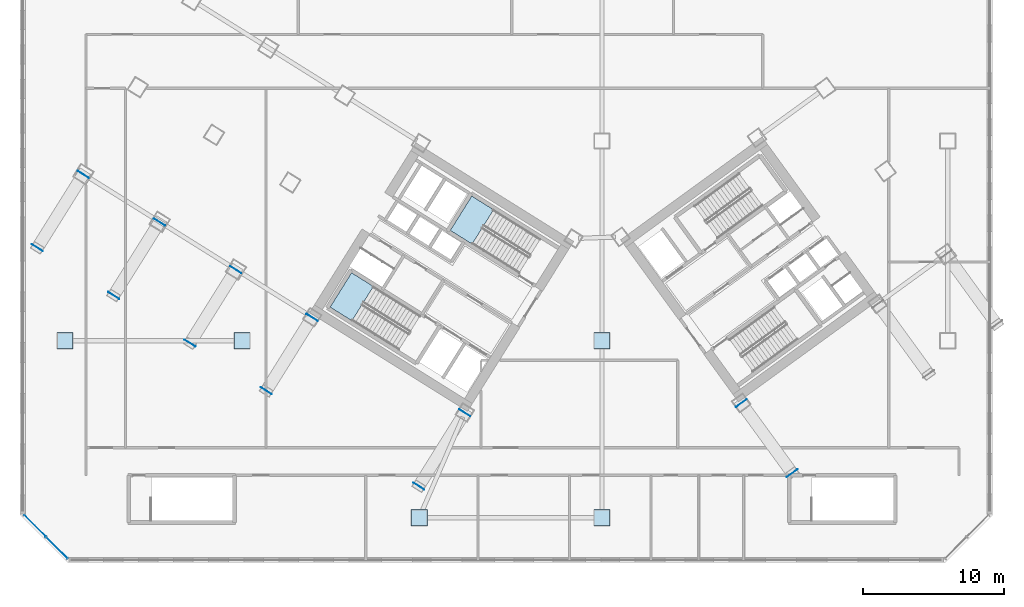
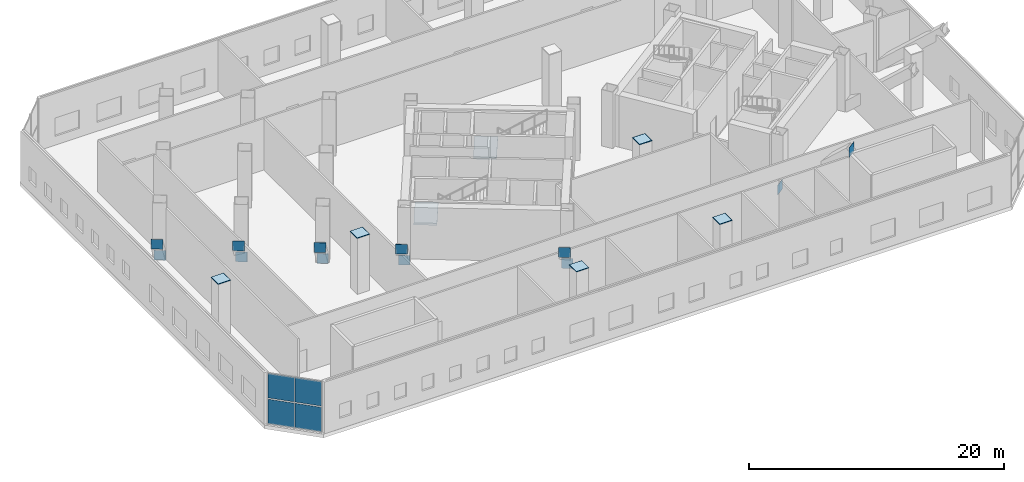
# One storey, part 9 of 23: 26 plates, 2 slabs, 3 elements without a shape of their own.
"""IFC4 building model written with IfcOpenShell, lengths in metres."""

from ifc_helpers import new_model, si_unit, direction, frame, origin, origin_2d, place, context, subcontext, project, spatial, polyline, rectangle, outline, extrude, source, transform, mapped, material, layer, layer_set, type_object, element, aggregate, save


model = new_model("IFC4")

# Units and contexts
model_context = context("Model", 3, precision=1e-05, world=origin(), true_north=direction((0.0, 1.0)))
body_context = subcontext(model_context, "Body", "Model", "MODEL_VIEW")
ifc_project = project(units=[si_unit("LENGTHUNIT", "METRE"), si_unit("AREAUNIT", "SQUARE_METRE"), si_unit("VOLUMEUNIT", "CUBIC_METRE"), si_unit("PLANEANGLEUNIT", "RADIAN"), si_unit("MASSUNIT", "GRAM", prefix="KILO")], contexts=[model_context])

# Site, building, storey
site_placement = place(None, origin())
site = spatial("IfcSite", under=ifc_project, at=site_placement, CompositionType="ELEMENT")
building_placement = place(site_placement, origin())
building = spatial("IfcBuilding", under=site, at=building_placement, Name="Tlacorven Tower", CompositionType="ELEMENT")
storey_placement = place(building_placement, frame((0.0, 0.0, 18.60009765625)))
storey = spatial("IfcBuildingStorey", under=building, at=storey_placement, Name="L04", CompositionType="ELEMENT", Elevation=18.60009765625)

# Stair, slab
ifc_material_1 = material(Name="Concrete C40/50", Category="concrete")
stair_type = type_object("IfcStairType", Name="ST-CORE-DLG", PredefinedType="HALF_TURN_STAIR", material=ifc_material_1)
stair_1_placement = place(storey_placement, origin())
stair_1 = element("IfcStair", 1, at=stair_1_placement, inside=storey, type_object=stair_type, Name="L04 Protected Exit Stair West 1", PredefinedType="HALF_TURN_STAIR")
ifc_layer_1 = layer(ifc_material_1, 0.199951171875)
ifc_layer_set_1 = layer_set([ifc_layer_1], Name="Concrete C40/50")
slab_type = type_object("IfcSlabType", Name="SL-LND-200", PredefinedType="LANDING", material=ifc_layer_set_1)
slab_1_placement = place(storey_placement, frame((0.0, 0.0, 2.5)))
slab_1 = element("IfcSlab", 2, at=slab_1_placement, type_object=slab_type, Name="ST-W1 landing 1", PredefinedType="LANDING", context=body_context, shape_type="SweptSolid", body=[
    extrude(outline(polyline([(26.541259765625, 21.05712890625), (24.9892578125, 22.02685546875), (23.463134765625, 19.58447265625), (25.014892578125, 18.61474609375), (26.541259765625, 21.05712890625)])), origin(), (0.0, 0.0, 1.0), 0.199951171875),
])
aggregate(stair_1, [slab_1])

stair_2_placement = place(storey_placement, origin())
stair_2 = element("IfcStair", 3, at=stair_2_placement, inside=storey, type_object=stair_type, Name="L04 Protected Exit Stair West 2", PredefinedType="HALF_TURN_STAIR")
slab_2_placement = place(storey_placement, frame((0.0, 0.0, 2.5)))
slab_2 = element("IfcSlab", 4, at=slab_2_placement, type_object=slab_type, Name="ST-W2 landing 1", PredefinedType="LANDING", context=body_context, shape_type="SweptSolid", body=[
    extrude(outline(polyline([(35.0927734375, 26.5146484375), (33.540771484375, 27.484375), (32.0146484375, 25.0419921875), (33.56640625, 24.072265625), (35.0927734375, 26.5146484375)])), origin(), (0.0, 0.0, 1.0), 0.199951171875),
])
aggregate(stair_2, [slab_2])

# Plates
ifc_material_2 = material(Name="Steel S460M", Category="steel")
ifc_layer_2 = layer(ifc_material_2, 0.02001953125)
ifc_layer_set_2 = layer_set([ifc_layer_2], Name="Steel S460M")
plate_type_1 = type_object("IfcPlateType", Name="PL-CAP-END2", PredefinedType="USERDEFINED", material=ifc_layer_set_2)
shared_shape_1 = source(origin(), body_context, "Body", "SweptSolid", [
    extrude(rectangle(XDim=0.02001953125, YDim=0.929931640625, at=origin_2d()), origin(), (0.0, 0.0, 1.0), 0.929931640625),
])
for number, where, z_axis, x_axis, name in (
    (5, (33.0341796875, 12.067626953125, -0.4453125), (0.0, 0.0, 1.0), (-0.529919298883, -0.848048074505, 0.0), "L04 hollow end cap plate RAK-L04-W1 1"),
    (6, (29.772705078125, 6.84814453125, 4.9150390625), (0.0, 0.0, 1.0), (-0.529919298883, -0.848048074505, 0.0), "L04 hollow end cap plate RAK-L04-W1 2"),
    (7, (22.17919921875, 18.8505859375, -0.4453125), (0.0, 0.0, 1.0), (-0.529919255042, -0.8480481019, 0.0), "L04 hollow end cap plate RAK-L04-W3 1"),
    (8, (18.917724609375, 13.631103515625, 4.9150390625), (0.0, 0.0, 1.0), (-0.529919255042, -0.8480481019, 0.0), "L04 hollow end cap plate RAK-L04-W3 2"),
    (9, (16.751708984375, 22.2421875, -0.4453125), (0.0, 0.0, 1.0), (-0.529919255042, -0.8480481019, 0.0), "L04 hollow end cap plate RAK-L04-W4 1"),
    (10, (13.489990234375, 17.022705078125, 4.9150390625), (0.0, 0.0, 1.0), (-0.529919255042, -0.8480481019, 0.0), "L04 hollow end cap plate RAK-L04-W4 2"),
    (11, (11.32421875, 25.633544921875, -0.4453125), (0.0, 0.0, 1.0), (-0.529919255042, -0.8480481019, 0.0), "L04 hollow end cap plate RAK-L04-W5 1"),
    (12, (8.0625, 20.4140625, 4.9150390625), (0.0, 0.0, 1.0), (-0.529919255042, -0.8480481019, 0.0), "L04 hollow end cap plate RAK-L04-W5 2"),
    (13, (5.896728515625, 29.025146484375, -0.4453125), (0.0, 0.0, 1.0), (-0.529919371897, -0.84804802888, 0.0), "L04 hollow end cap plate RAK-L04-W6 1"),
    (14, (2.635009765625, 23.8056640625, 4.9150390625), (0.0, 0.0, 1.0), (-0.529919371897, -0.84804802888, 0.0), "L04 hollow end cap plate RAK-L04-W6 2"),
    (15, (52.71875, 12.755126953125, -0.4453125), (0.0, 0.0, 1.0), (0.587785288157, -0.809016968318, 0.0), "L04 hollow end cap plate RAK-L04-E1 1"),
    (16, (56.33642578125, 7.77587890625, 4.9150390625), (0.0, 0.0, 1.0), (0.587785288157, -0.809016968318, 0.0), "L04 hollow end cap plate RAK-L04-E1 2"),
):
    element("IfcPlate", number, at=place(storey_placement, frame(where, z_axis=z_axis, x_axis=x_axis)), inside=storey, type_object=plate_type_1, Name=name, ObjectType="END PLATE", PredefinedType="USERDEFINED", context=body_context, shape_type="MappedRepresentation", body=[
        mapped(shared_shape_1, transform((0.0, 0.0, 0.0), scale=1.0)),
    ])
shared_shape_2 = source(origin(), body_context, "Body", "SweptSolid", [
    extrude(rectangle(XDim=1.159912109375, YDim=1.159912109375, at=origin_2d()), origin(), (0.0, 0.0, 1.0), 0.02001953125),
])
for number, where, z_axis, x_axis, name in (
    (17, (4.60009765625, 17.199951171875, 5.3798828125), (0.0, 0.0, 1.0), (1.0, 0.0, 0.0), "L04 Box Column Top Cap Plate COL-L04-P01"),
    (18, (17.199951171875, 17.199951171875, 5.3798828125), (0.0, 0.0, 1.0), (1.0, 0.0, 0.0), "L04 Box Column Top Cap Plate COL-L04-P02"),
    (19, (29.800048828125, 4.60009765625, 5.3798828125), (0.0, 0.0, 1.0), (1.0, 0.0, 0.0), "L04 Box Column Top Cap Plate COL-L04-P03"),
    (20, (42.800048828125, 4.60009765625, 5.3798828125), (0.0, 0.0, 1.0), (1.0, 0.0, 0.0), "L04 Box Column Top Cap Plate COL-L04-P05"),
    (21, (42.800048828125, 17.199951171875, 5.3798828125), (0.0, 0.0, 1.0), (1.0, 0.0, 0.0), "L04 Box Column Top Cap Plate COL-L04-P06"),
):
    element("IfcPlate", number, at=place(storey_placement, frame(where, z_axis=z_axis, x_axis=x_axis)), inside=storey, type_object=plate_type_1, Name=name, ObjectType="END PLATE", PredefinedType="USERDEFINED", context=body_context, shape_type="MappedRepresentation", body=[
        mapped(shared_shape_2, transform((0.0, 0.0, 0.0), scale=1.0)),
    ])
ifc_layer_3 = layer(ifc_material_2, 0.02392578125)
ifc_layer_set_3 = layer_set([ifc_layer_3], Name="Steel S460M")
plate_type_2 = type_object("IfcPlateType", Name="PL-CAP-END1", PredefinedType="USERDEFINED", material=ifc_layer_set_3)
shared_shape_3 = source(origin(), body_context, "Body", "SweptSolid", [
    extrude(rectangle(XDim=1.10009765625, YDim=1.10009765625, at=origin_2d()), origin(), (0.0, 0.0, 1.0), 0.02392578125),
])
for number, where, z_axis, x_axis, name in (
    (22, (4.60009765625, 17.199951171875, 5.39794921875), (0.0, 0.0, 1.0), (1.0, 0.0, 0.0), "L04 Hollow Column Top Cap Plate COL-L04-P01"),
    (23, (17.199951171875, 17.199951171875, 5.39794921875), (0.0, 0.0, 1.0), (1.0, 0.0, 0.0), "L04 Hollow Column Top Cap Plate COL-L04-P02"),
    (24, (29.800048828125, 4.60009765625, 5.39794921875), (0.0, 0.0, 1.0), (1.0, 0.0, 0.0), "L04 Hollow Column Top Cap Plate COL-L04-P03"),
    (25, (42.800048828125, 4.60009765625, 5.39794921875), (0.0, 0.0, 1.0), (1.0, 0.0, 0.0), "L04 Hollow Column Top Cap Plate COL-L04-P05"),
    (26, (42.800048828125, 17.199951171875, 5.39794921875), (0.0, 0.0, 1.0), (1.0, 0.0, 0.0), "L04 Hollow Column Top Cap Plate COL-L04-P06"),
):
    element("IfcPlate", number, at=place(storey_placement, frame(where, z_axis=z_axis, x_axis=x_axis)), inside=storey, type_object=plate_type_2, Name=name, ObjectType="END PLATE", PredefinedType="USERDEFINED", context=body_context, shape_type="MappedRepresentation", body=[
        mapped(shared_shape_3, transform((0.0, 0.0, 0.0), scale=1.0)),
    ])

# Curtain wall, plates
ifc_material_3 = material(Name="Dark solar low-E double glazing in aluminium frame", Category="aluminium")
curtain_wall_type = type_object("IfcCurtainWallType", Name="CW-POD-CLINIC", PredefinedType="USERDEFINED", material=ifc_material_3)
curtain_wall_placement = place(storey_placement, origin())
curtain_wall = element("IfcCurtainWall", 27, at=curtain_wall_placement, inside=storey, type_object=curtain_wall_type, Name="L04 Podium Chamfer Curtain Wall 1", ObjectType="UNITISED CURTAIN WALL", PredefinedType="USERDEFINED")
ifc_material_4 = material(Name="Dark solar double low-E glazing", Category="glass")
ifc_layer_4 = layer(ifc_material_4, 0.031982421875)
ifc_layer_set_4 = layer_set([ifc_layer_4], Name="Dark solar double low-E glazing")
plate_type_3 = type_object("IfcPlateType", Name="CWP-02", PredefinedType="CURTAIN_PANEL", material=ifc_layer_set_4)
shared_shape_4 = source(origin(), body_context, "Body", "SweptSolid", [
    extrude(rectangle(XDim=2.141845703125, YDim=0.031982421875, at=origin_2d()), origin(), (0.0, 0.0, 1.0), 2.35302734375),
])
plate_1_placement = place(storey_placement, frame((4.015380859375, 2.467529296875, 0.060791015625), z_axis=(0.0, 0.0, 1.0), x_axis=(-0.707106781187, 0.707106781187, 0.0)))
plate_1 = element("IfcPlate", 28, at=plate_1_placement, type_object=plate_type_3, Name="CW-L04-017 Glazing Panel 1", PredefinedType="CURTAIN_PANEL", context=body_context, shape_type="MappedRepresentation", body=[
    mapped(shared_shape_4, transform((0.0, 0.0, 0.0), scale=1.0)),
])
plate_2_placement = place(storey_placement, frame((4.015380859375, 2.467529296875, 2.535888671875), z_axis=(0.0, 0.0, 1.0), x_axis=(-0.707106781187, 0.707106781187, 0.0)))
plate_2 = element("IfcPlate", 29, at=plate_2_placement, type_object=plate_type_3, Name="CW-L04-017 Glazing Panel 2", PredefinedType="CURTAIN_PANEL", context=body_context, shape_type="MappedRepresentation", body=[
    mapped(shared_shape_4, transform((0.0, 0.0, 0.0), scale=1.0)),
])
plate_3_placement = place(storey_placement, frame((2.467529296875, 4.015380859375, 0.060791015625), z_axis=(0.0, 0.0, 1.0), x_axis=(-0.707106781187, 0.707106781187, 0.0)))
plate_3 = element("IfcPlate", 30, at=plate_3_placement, type_object=plate_type_3, Name="CW-L04-017 Glazing Panel 3", PredefinedType="CURTAIN_PANEL", context=body_context, shape_type="MappedRepresentation", body=[
    mapped(shared_shape_4, transform((0.0, 0.0, 0.0), scale=1.0)),
])
plate_4_placement = place(storey_placement, frame((2.467529296875, 4.015380859375, 2.535888671875), z_axis=(0.0, 0.0, 1.0), x_axis=(-0.707106781187, 0.707106781187, 0.0)))
plate_4 = element("IfcPlate", 31, at=plate_4_placement, type_object=plate_type_3, Name="CW-L04-017 Glazing Panel 4", PredefinedType="CURTAIN_PANEL", context=body_context, shape_type="MappedRepresentation", body=[
    mapped(shared_shape_4, transform((0.0, 0.0, 0.0), scale=1.0)),
])
aggregate(curtain_wall, [plate_1, plate_2, plate_3, plate_4])

save(model, "model.ifc")
